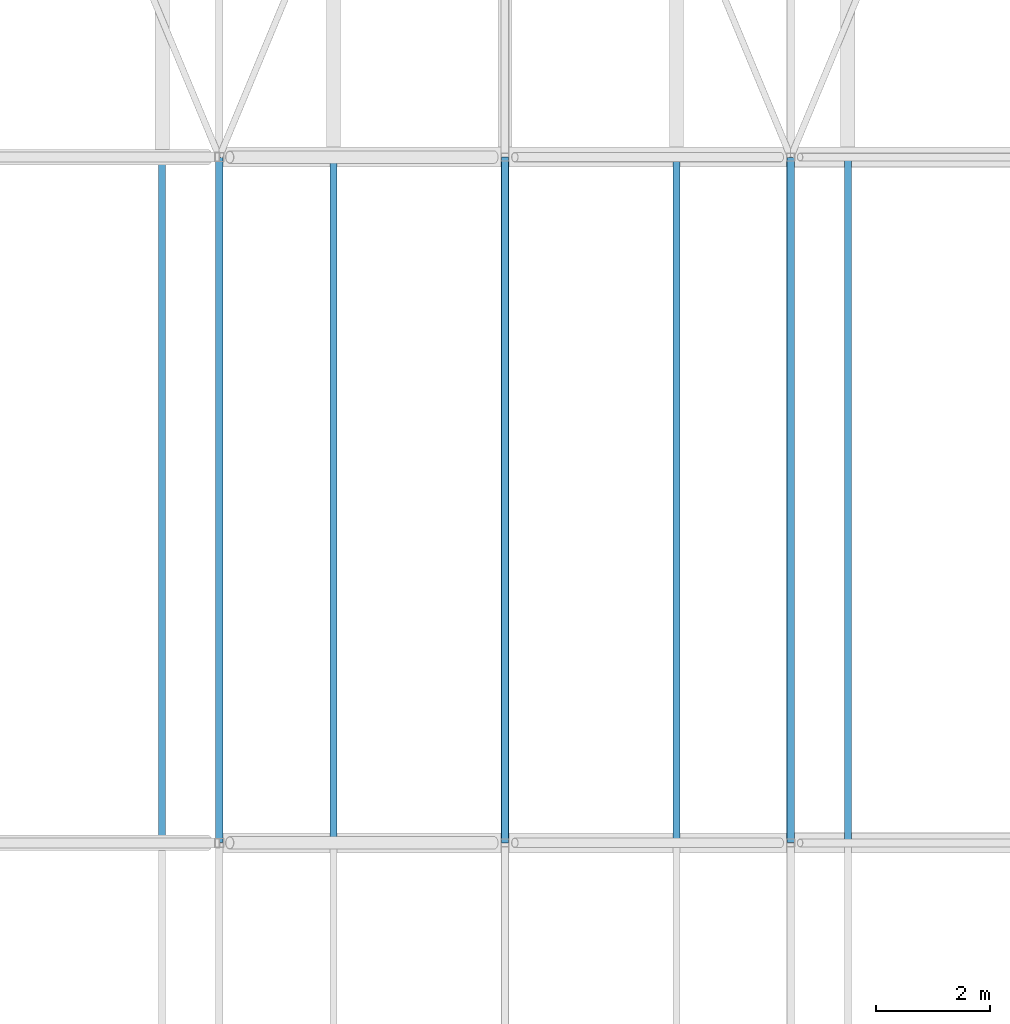
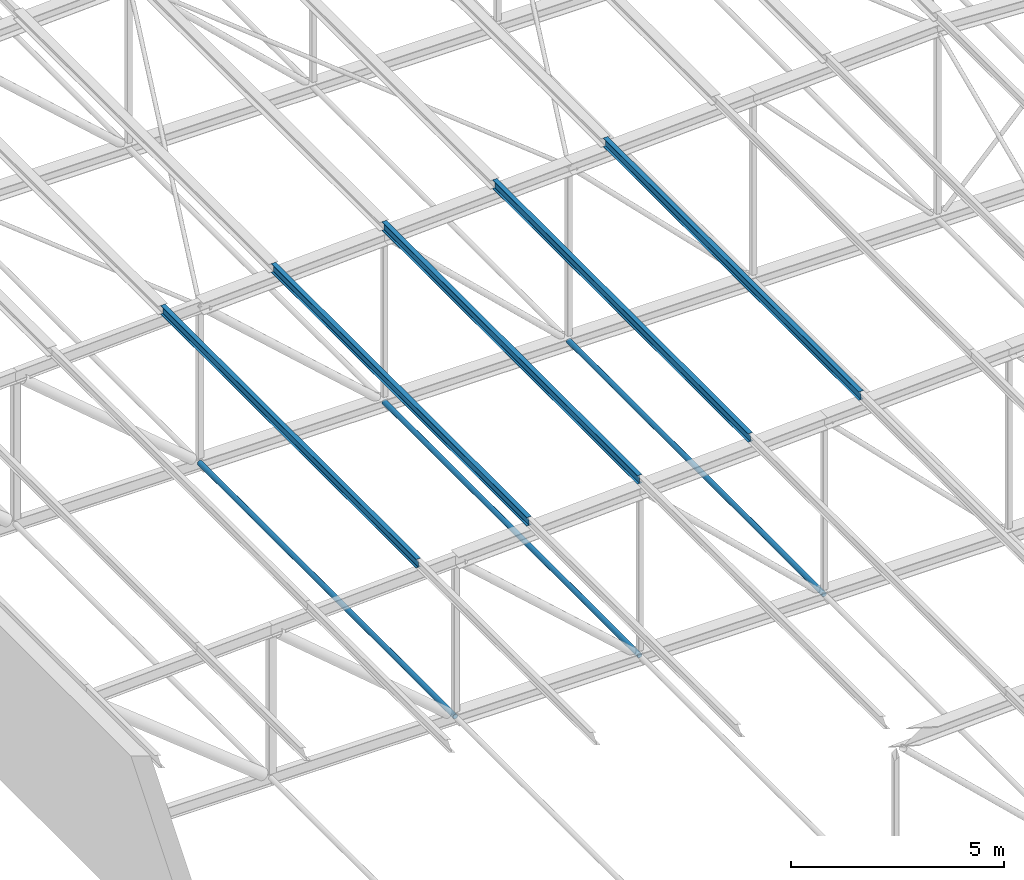
# One storey, part 29 of 156: 8 members.
"""IFC4 building model written with IfcOpenShell, lengths in metres."""

from ifc_helpers import new_model, si_unit, direction, frame, origin, origin_2d, place, context, subcontext, project, spatial, hollow_circle, i_section, extrude, material, material_profile, profile_set, type_object, element, save


model = new_model("IFC4")

# Units and contexts
model_context = context("Model", 3, precision=1e-05, world=origin(), true_north=direction((0.0, 1.0)))
body_context = subcontext(model_context, "Body", "Model", "MODEL_VIEW")
ifc_project = project(units=[si_unit("LENGTHUNIT", "METRE"), si_unit("AREAUNIT", "SQUARE_METRE"), si_unit("VOLUMEUNIT", "CUBIC_METRE"), si_unit("PLANEANGLEUNIT", "RADIAN"), si_unit("MASSUNIT", "GRAM", prefix="KILO")], contexts=[model_context])

# Site, building, storey
site_placement = place(None, origin())
site = spatial("IfcSite", under=ifc_project, at=site_placement, CompositionType="ELEMENT")
building_placement = place(site_placement, origin())
building = spatial("IfcBuilding", under=site, at=building_placement, Name="Lilac Gate Convention Centre", CompositionType="ELEMENT")
storey_placement = place(building_placement, frame((0.0, 0.0, 17.0)))
storey = spatial("IfcBuildingStorey", under=building, at=storey_placement, Name="L03", CompositionType="ELEMENT", Elevation=17.0)

# Members
ifc_material = material(Name="Steel Q355B", Category="steel")
ifc_material_profile_1 = material_profile(ifc_material, hollow_circle(Radius=0.06982421875, WallThickness=0.0048828125, at=origin_2d()), Name="CHS139.7x5")
ifc_profile_set_1 = profile_set([ifc_material_profile_1], Name="Steel Q355B")
member_type_1 = type_object("IfcMemberType", Name="Bottom chord tie CHS139.7x5", PredefinedType="STRUT", material=ifc_profile_set_1)
member_placement = place(storey_placement, frame((40.0, 66.00341796875, 0.0), z_axis=(0.0, 1.0, 0.0), x_axis=(-1.0, 0.0, 0.0)))
element("IfcMember", 1, at=member_placement, inside=storey, type_object=member_type_1, Name="ST1 tie bay 4 node 3", PredefinedType="STRUT", context=body_context, shape_type="SweptSolid", body=[
    extrude(hollow_circle(Radius=0.06982421875, WallThickness=0.0048828125, at=origin_2d()), origin(), (0.0, 0.0, 1.0), 11.9931640625),
])
for number, where, z_axis, x_axis, name in (
    (2, (45.0, 66.006103515625, 0.0), (0.0, 1.0, 0.0), (-1.0, 0.0, 0.0), "ST1 tie bay 4 node 4"),
    (3, (50.0, 66.006103515625, 0.0), (0.0, 1.0, 0.0), (-1.0, 0.0, 0.0), "ST1 tie bay 4 node 5"),
):
    element("IfcMember", number, at=place(storey_placement, frame(where, z_axis=z_axis, x_axis=x_axis)), inside=storey, type_object=member_type_1, Name=name, PredefinedType="STRUT", context=body_context, shape_type="SweptSolid", body=[
        extrude(hollow_circle(Radius=0.06982421875, WallThickness=0.0048828125, at=origin_2d()), origin(), (0.0, 0.0, 1.0), 11.98779296875),
    ])
ifc_material_profile_2 = material_profile(ifc_material, i_section(OverallWidth=0.125, OverallDepth=0.25, WebThickness=0.006103515625, FlangeThickness=0.009033203125, FilletRadius=0.008056640625, at=origin_2d()), Name="HN250x125x6x9")
ifc_profile_set_2 = profile_set([ifc_material_profile_2], Name="Steel Q355B")
member_type_2 = type_object("IfcMemberType", Name="Roof purlin HN250x125x6x9", PredefinedType="PURLIN", material=ifc_profile_set_2)
for number, where, z_axis, x_axis, name in (
    (4, (39.0, 66.0, 4.750244140625), (0.0, 1.0, 0.0), (-1.0, 0.0, 0.0), "PU2 purlin bay 4 line 4"),
    (5, (42.0, 66.0, 4.900146484375), (0.0, 1.0, 0.0), (-1.0, 0.0, 0.0), "PU2 purlin bay 4 line 5"),
    (6, (45.0, 66.0, 5.05029296875), (0.0, 1.0, 0.0), (-1.0, 0.0, 0.0), "PU2 purlin bay 4 line 6"),
    (7, (48.0, 66.0, 5.2001953125), (0.0, 1.0, 0.0), (-1.0, 0.0, 0.0), "PU2 purlin bay 4 line 7"),
    (8, (51.0, 66.0, 5.35009765625), (0.0, 1.0, 0.0), (-1.0, 0.0, 0.0), "PU2 purlin bay 4 line 8"),
):
    element("IfcMember", number, at=place(storey_placement, frame(where, z_axis=z_axis, x_axis=x_axis)), inside=storey, type_object=member_type_2, Name=name, PredefinedType="PURLIN", context=body_context, shape_type="SweptSolid", body=[
        extrude(i_section(OverallWidth=0.125, OverallDepth=0.25, WebThickness=0.006103515625, FlangeThickness=0.009033203125, FilletRadius=0.008056640625, at=origin_2d()), origin(), (0.0, 0.0, 1.0), 12.0),
    ])

save(model, "model.ifc")
